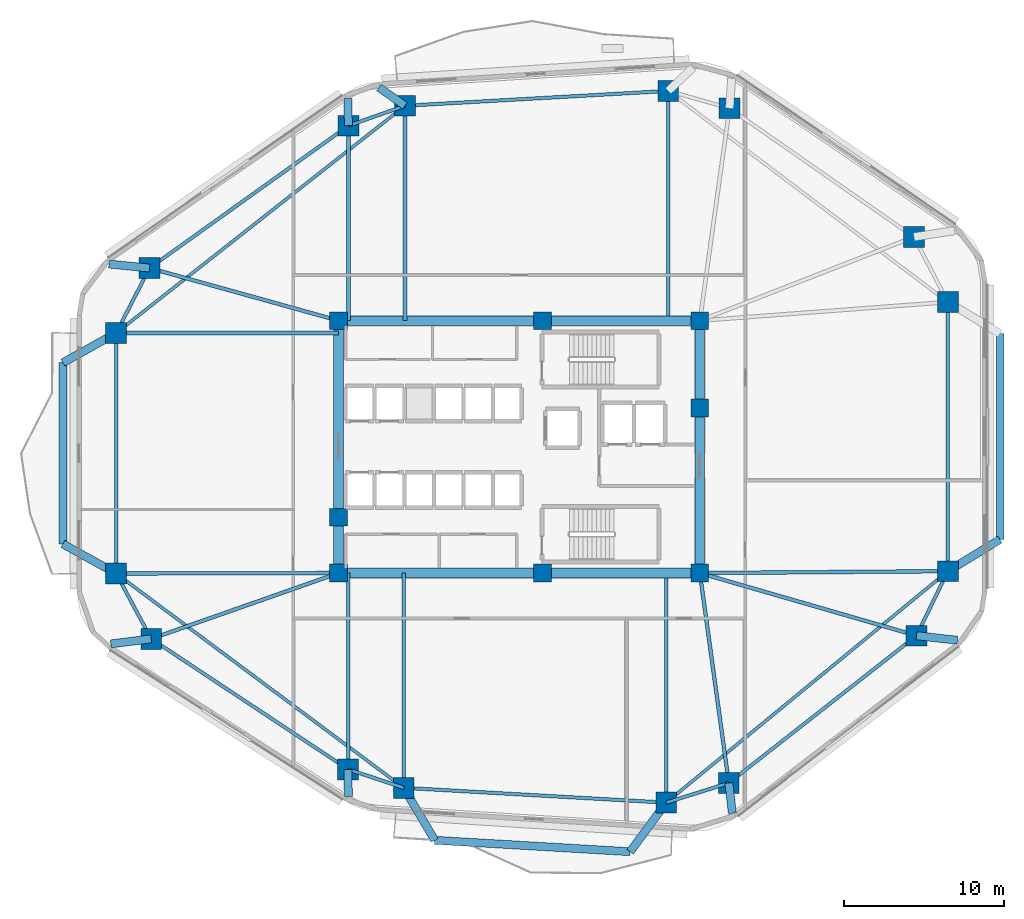
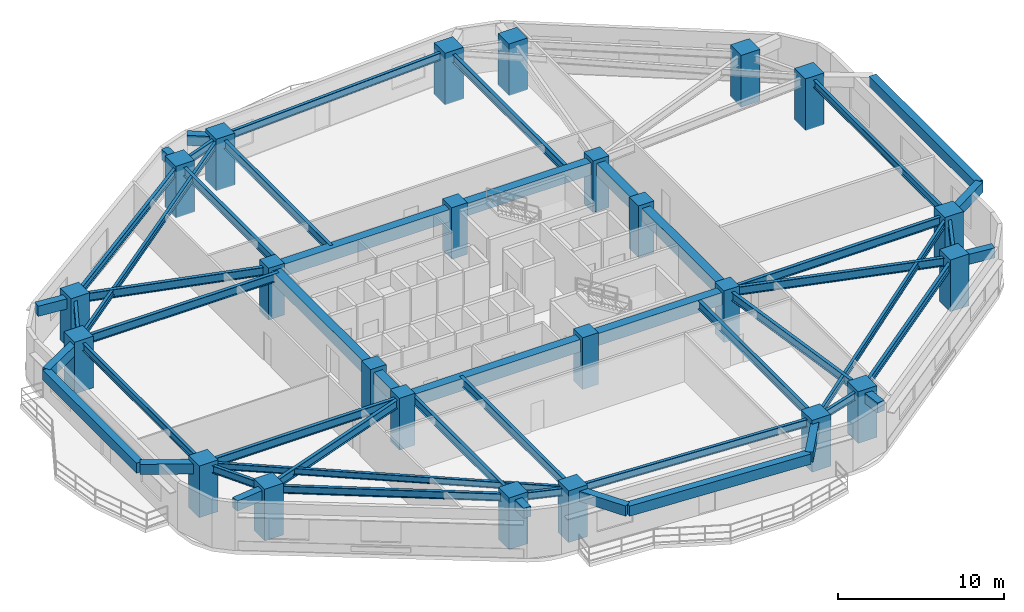
# One storey, part 1 of 11: 52 beams, 24 columns.
"""IFC4 building model written with IfcOpenShell, lengths in metres."""

from ifc_helpers import new_model, si_unit, direction, frame, origin, origin_2d, place, context, subcontext, project, spatial, rectangle, i_section, extrude, material, material_profile, profile_set, type_object, element, save


model = new_model("IFC4")

# Units and contexts
model_context = context("Model", 3, precision=1e-05, world=origin(), true_north=direction((0.0, 1.0)))
body_context = subcontext(model_context, "Body", "Model", "MODEL_VIEW")
ifc_project = project(units=[si_unit("LENGTHUNIT", "METRE"), si_unit("AREAUNIT", "SQUARE_METRE"), si_unit("VOLUMEUNIT", "CUBIC_METRE"), si_unit("PLANEANGLEUNIT", "RADIAN"), si_unit("MASSUNIT", "GRAM", prefix="KILO")], contexts=[model_context])

# Site, building, storey
site_placement = place(None, origin())
site = spatial("IfcSite", under=ifc_project, at=site_placement, CompositionType="ELEMENT")
building_placement = place(site_placement, origin())
building = spatial("IfcBuilding", under=site, at=building_placement, Name="Zulverin Broadcast Headquarters", CompositionType="ELEMENT")
storey_placement = place(building_placement, frame((0.0, 0.0, 28.800048828125)))
storey = spatial("IfcBuildingStorey", under=building, at=storey_placement, Name="L06", CompositionType="ELEMENT", Elevation=28.800048828125)

# Columns
ifc_material_1 = material(Name="Concrete C60/75", Category="concrete")
ifc_material_profile_1 = material_profile(ifc_material_1, rectangle(XDim=1.300048828125, YDim=1.300048828125, at=origin_2d()), Name="Concrete C60/75", Category="concrete")
ifc_profile_set_1 = profile_set([ifc_material_profile_1], Name="Concrete C60/75")
column_type_1 = type_object("IfcColumnType", Name="COL-RC-1300", PredefinedType="COLUMN", material=ifc_profile_set_1)
for number, where, z_axis, x_axis, name in (
    (1, (29.79638671875, 3.922119140625, 0.0), (0.0, 0.0, 1.0), (1.0, 0.0, 0.0), "L06 Perimeter Column T01"),
    (2, (46.175048828125, 2.997802734375, 0.0), (0.0, 0.0, 1.0), (1.0, 0.0, 0.0), "L06 Perimeter Column T02"),
    (3, (50.08056640625, 4.22509765625, 0.0), (0.0, 0.0, 1.0), (1.0, 0.0, 0.0), "L06 Perimeter Column T03"),
    (4, (61.79296875, 13.416259765625, 0.0), (0.0, 0.0, 1.0), (1.0, 0.0, 0.0), "L06 Perimeter Column T04"),
    (5, (63.75, 17.439697265625, 0.0), (0.0, 0.0, 1.0), (1.0, 0.0, 0.0), "L06 Perimeter Column T05"),
    (6, (63.75, 34.235107421875, 0.0), (0.0, 0.0, 1.0), (1.0, 0.0, 0.0), "L06 Perimeter Column T06"),
    (7, (61.630126953125, 38.298583984375, 0.0), (0.0, 0.0, 1.0), (1.0, 0.0, 0.0), "L06 Perimeter Column T07"),
    (8, (50.121826171875, 46.325927734375, 0.0), (0.0, 0.0, 1.0), (1.0, 0.0, 0.0), "L06 Perimeter Column T08"),
    (9, (46.30224609375, 47.4091796875, 0.0), (0.0, 0.0, 1.0), (1.0, 0.0, 0.0), "L06 Perimeter Column T09"),
    (10, (29.873779296875, 46.482177734375, 0.0), (0.0, 0.0, 1.0), (1.0, 0.0, 0.0), "L06 Perimeter Column T10"),
    (11, (26.344482421875, 45.23828125, 0.0), (0.0, 0.0, 1.0), (1.0, 0.0, 0.0), "L06 Perimeter Column T11"),
    (12, (13.934326171875, 36.353759765625, 0.0), (0.0, 0.0, 1.0), (1.0, 0.0, 0.0), "L06 Perimeter Column T12"),
    (13, (11.85009765625, 32.298095703125, 0.0), (0.0, 0.0, 1.0), (1.0, 0.0, 0.0), "L06 Perimeter Column T13"),
    (14, (11.85009765625, 17.297607421875, 0.0), (0.0, 0.0, 1.0), (1.0, 0.0, 0.0), "L06 Perimeter Column T14"),
    (15, (14.0390625, 13.219970703125, 0.0), (0.0, 0.0, 1.0), (1.0, 0.0, 0.0), "L06 Perimeter Column T15"),
    (16, (26.3251953125, 5.075927734375, 0.0), (0.0, 0.0, 1.0), (1.0, 0.0, 0.0), "L06 Perimeter Column T16"),
):
    element("IfcColumn", number, at=place(storey_placement, frame(where, z_axis=z_axis, x_axis=x_axis)), inside=storey, type_object=column_type_1, Name=name, PredefinedType="COLUMN", context=body_context, shape_type="SweptSolid", body=[
        extrude(rectangle(XDim=1.300048828125, YDim=1.300048828125, at=origin_2d()), origin(), (0.0, 0.0, 1.0), 3.800048828125),
    ])
ifc_material_profile_2 = material_profile(ifc_material_1, rectangle(XDim=1.10009765625, YDim=1.10009765625, at=origin_2d()), Name="Concrete C60/75", Category="concrete")
ifc_profile_set_2 = profile_set([ifc_material_profile_2], Name="Concrete C60/75")
column_type_2 = type_object("IfcColumnType", Name="PIL-RC-1100", PredefinedType="PILASTER", material=ifc_profile_set_2)
for number, where, z_axis, x_axis, name in (
    (17, (25.72509765625, 17.324951171875, 0.0), (0.0, 0.0, 1.0), (1.0, 0.0, 0.0), "L06 Core Pilaster K01"),
    (18, (38.449951171875, 17.324951171875, 0.0), (0.0, 0.0, 1.0), (1.0, 0.0, 0.0), "L06 Core Pilaster K02"),
    (19, (48.27490234375, 17.324951171875, 0.0), (0.0, 0.0, 1.0), (1.0, 0.0, 0.0), "L06 Core Pilaster K03"),
    (20, (48.27490234375, 27.6201171875, 0.0), (0.0, 0.0, 1.0), (1.0, 0.0, 0.0), "L06 Core Pilaster K04"),
    (21, (48.27490234375, 33.074951171875, 0.0), (0.0, 0.0, 1.0), (1.0, 0.0, 0.0), "L06 Core Pilaster K05"),
    (22, (38.449951171875, 33.074951171875, 0.0), (0.0, 0.0, 1.0), (1.0, 0.0, 0.0), "L06 Core Pilaster K06"),
    (23, (25.72509765625, 33.074951171875, 0.0), (0.0, 0.0, 1.0), (1.0, 0.0, 0.0), "L06 Core Pilaster K07"),
    (24, (25.72509765625, 20.800048828125, 0.0), (0.0, 0.0, 1.0), (1.0, 0.0, 0.0), "L06 Core Pilaster K08"),
):
    element("IfcColumn", number, at=place(storey_placement, frame(where, z_axis=z_axis, x_axis=x_axis)), inside=storey, type_object=column_type_2, Name=name, PredefinedType="PILASTER", context=body_context, shape_type="SweptSolid", body=[
        extrude(rectangle(XDim=1.10009765625, YDim=1.10009765625, at=origin_2d()), origin(), (0.0, 0.0, 1.0), 3.800048828125),
    ])

# Beams
ifc_material_profile_3 = material_profile(ifc_material_1, rectangle(XDim=0.60009765625, YDim=0.89990234375, at=origin_2d()), Name="Concrete C60/75", Category="concrete")
ifc_profile_set_3 = profile_set([ifc_material_profile_3], Name="Concrete C60/75")
beam_type_1 = type_object("IfcBeamType", Name="BM-CB-600x900", PredefinedType="LINTEL", material=ifc_profile_set_3)
beam_1_placement = place(storey_placement, frame((25.72509765625, 17.324951171875, 3.074951171875), z_axis=(1.0, 0.0, 0.0), x_axis=(0.0, 1.0, 0.0)))
element("IfcBeam", 25, at=beam_1_placement, inside=storey, type_object=beam_type_1, Name="L06 Core Coupling Girder K01-K02", PredefinedType="LINTEL", context=body_context, shape_type="SweptSolid", body=[
    extrude(rectangle(XDim=0.60009765625, YDim=0.89990234375, at=origin_2d()), origin(), (0.0, 0.0, 1.0), 12.724853515625),
])
beam_2_placement = place(storey_placement, frame((38.449951171875, 17.324951171875, 3.074951171875), z_axis=(1.0, 0.0, 0.0), x_axis=(0.0, 1.0, 0.0)))
element("IfcBeam", 26, at=beam_2_placement, inside=storey, type_object=beam_type_1, Name="L06 Core Coupling Girder K02-K03", PredefinedType="LINTEL", context=body_context, shape_type="SweptSolid", body=[
    extrude(rectangle(XDim=0.60009765625, YDim=0.89990234375, at=origin_2d()), origin(), (0.0, 0.0, 1.0), 9.824951171875),
])
beam_3_placement = place(storey_placement, frame((48.27490234375, 17.324951171875, 3.074951171875), z_axis=(0.0, 1.0, 0.0), x_axis=(-1.0, 0.0, 0.0)))
element("IfcBeam", 27, at=beam_3_placement, inside=storey, type_object=beam_type_1, Name="L06 Core Coupling Girder K03-K04", PredefinedType="LINTEL", context=body_context, shape_type="SweptSolid", body=[
    extrude(rectangle(XDim=0.60009765625, YDim=0.89990234375, at=origin_2d()), origin(), (0.0, 0.0, 1.0), 10.295166015625),
])
beam_4_placement = place(storey_placement, frame((48.27490234375, 27.6201171875, 3.074951171875), z_axis=(0.0, 1.0, 0.0), x_axis=(-1.0, 0.0, 0.0)))
element("IfcBeam", 28, at=beam_4_placement, inside=storey, type_object=beam_type_1, Name="L06 Core Coupling Girder K04-K05", PredefinedType="LINTEL", context=body_context, shape_type="SweptSolid", body=[
    extrude(rectangle(XDim=0.60009765625, YDim=0.89990234375, at=origin_2d()), origin(), (0.0, 0.0, 1.0), 5.454833984375),
])
beam_5_placement = place(storey_placement, frame((48.27490234375, 33.074951171875, 3.074951171875), z_axis=(-1.0, 0.0, 0.0), x_axis=(0.0, -1.0, 0.0)))
element("IfcBeam", 29, at=beam_5_placement, inside=storey, type_object=beam_type_1, Name="L06 Core Coupling Girder K05-K06", PredefinedType="LINTEL", context=body_context, shape_type="SweptSolid", body=[
    extrude(rectangle(XDim=0.60009765625, YDim=0.89990234375, at=origin_2d()), origin(), (0.0, 0.0, 1.0), 9.824951171875),
])
beam_6_placement = place(storey_placement, frame((38.449951171875, 33.074951171875, 3.074951171875), z_axis=(-1.0, 0.0, 0.0), x_axis=(0.0, -1.0, 0.0)))
element("IfcBeam", 30, at=beam_6_placement, inside=storey, type_object=beam_type_1, Name="L06 Core Coupling Girder K06-K07", PredefinedType="LINTEL", context=body_context, shape_type="SweptSolid", body=[
    extrude(rectangle(XDim=0.60009765625, YDim=0.89990234375, at=origin_2d()), origin(), (0.0, 0.0, 1.0), 12.724853515625),
])
beam_7_placement = place(storey_placement, frame((25.72509765625, 33.074951171875, 3.074951171875), z_axis=(0.0, -1.0, 0.0), x_axis=(1.0, 0.0, 0.0)))
element("IfcBeam", 31, at=beam_7_placement, inside=storey, type_object=beam_type_1, Name="L06 Core Coupling Girder K07-K08", PredefinedType="LINTEL", context=body_context, shape_type="SweptSolid", body=[
    extrude(rectangle(XDim=0.60009765625, YDim=0.89990234375, at=origin_2d()), origin(), (0.0, 0.0, 1.0), 12.27490234375),
])
beam_8_placement = place(storey_placement, frame((25.72509765625, 20.800048828125, 3.074951171875), z_axis=(0.0, -1.0, 0.0), x_axis=(1.0, 0.0, 0.0)))
element("IfcBeam", 32, at=beam_8_placement, inside=storey, type_object=beam_type_1, Name="L06 Core Coupling Girder K08-K01", PredefinedType="LINTEL", context=body_context, shape_type="SweptSolid", body=[
    extrude(rectangle(XDim=0.60009765625, YDim=0.89990234375, at=origin_2d()), origin(), (0.0, 0.0, 1.0), 3.47509765625),
])
ifc_material_2 = material(Name="Concrete C40/50", Category="concrete")
ifc_material_profile_4 = material_profile(ifc_material_2, rectangle(XDim=0.5, YDim=0.75, at=origin_2d()), Name="Concrete C40/50", Category="concrete")
ifc_profile_set_4 = profile_set([ifc_material_profile_4], Name="Concrete C40/50")
beam_type_2 = type_object("IfcBeamType", Name="BM-RC-500x750", PredefinedType="BEAM", material=ifc_profile_set_4)
beam_9_placement = place(storey_placement, frame((50.08056640625, 4.22509765625, 3.14990234375), z_axis=(0.115916621896, -0.99325894749, 0.0), x_axis=(0.99325894749, 0.115916621896, 0.0)))
element("IfcBeam", 33, at=beam_9_placement, inside=storey, type_object=beam_type_2, Name="L07 Plate Overhang Back-Spanned Beam OVR-03", PredefinedType="BEAM", context=body_context, shape_type="SweptSolid", body=[
    extrude(rectangle(XDim=0.5, YDim=0.75, at=origin_2d()), origin(), (0.0, 0.0, 1.0), 1.899658203125),
])
beam_10_placement = place(storey_placement, frame((61.79296875, 13.416259765625, 3.14990234375), z_axis=(0.993797661948, -0.111203449166, 0.0), x_axis=(0.111203449166, 0.993797661948, 0.0)))
element("IfcBeam", 34, at=beam_10_placement, inside=storey, type_object=beam_type_2, Name="L07 Plate Overhang Back-Spanned Beam OVR-04", PredefinedType="BEAM", context=body_context, shape_type="SweptSolid", body=[
    extrude(rectangle(XDim=0.5, YDim=0.75, at=origin_2d()), origin(), (0.0, 0.0, 1.0), 2.568603515625),
])
beam_11_placement = place(storey_placement, frame((29.873779296875, 46.482177734375, 3.14990234375), z_axis=(-0.817148773783, 0.576426822333, 0.0), x_axis=(-0.576426822333, -0.817148773783, 0.0)))
element("IfcBeam", 35, at=beam_11_placement, inside=storey, type_object=beam_type_2, Name="L07 Plate Overhang Back-Spanned Beam OVR-10", PredefinedType="BEAM", context=body_context, shape_type="SweptSolid", body=[
    extrude(rectangle(XDim=0.5, YDim=0.75, at=origin_2d()), origin(), (0.0, 0.0, 1.0), 1.981689453125),
])
beam_12_placement = place(storey_placement, frame((26.344482421875, 45.23828125, 3.14990234375), z_axis=(-0.025024345209, 0.999686842039, 0.0), x_axis=(-0.999686842039, -0.025024345209, 0.0)))
element("IfcBeam", 36, at=beam_12_placement, inside=storey, type_object=beam_type_2, Name="L07 Plate Overhang Back-Spanned Beam OVR-11", PredefinedType="BEAM", context=body_context, shape_type="SweptSolid", body=[
    extrude(rectangle(XDim=0.5, YDim=0.75, at=origin_2d()), origin(), (0.0, 0.0, 1.0), 1.707275390625),
])
beam_13_placement = place(storey_placement, frame((13.934326171875, 36.353759765625, 3.14990234375), z_axis=(-0.995008621602, 0.09978899207, 0.0), x_axis=(-0.09978899207, -0.995008621602, 0.0)))
element("IfcBeam", 37, at=beam_13_placement, inside=storey, type_object=beam_type_2, Name="L07 Plate Overhang Back-Spanned Beam OVR-12", PredefinedType="BEAM", context=body_context, shape_type="SweptSolid", body=[
    extrude(rectangle(XDim=0.5, YDim=0.75, at=origin_2d()), origin(), (0.0, 0.0, 1.0), 2.5419921875),
])
beam_14_placement = place(storey_placement, frame((14.0390625, 13.219970703125, 3.14990234375), z_axis=(-0.992258640565, -0.124188526941, 0.0), x_axis=(0.124188526941, -0.992258640565, 0.0)))
element("IfcBeam", 38, at=beam_14_placement, inside=storey, type_object=beam_type_2, Name="L07 Plate Overhang Back-Spanned Beam OVR-15", PredefinedType="BEAM", context=body_context, shape_type="SweptSolid", body=[
    extrude(rectangle(XDim=0.5, YDim=0.75, at=origin_2d()), origin(), (0.0, 0.0, 1.0), 2.5400390625),
])
beam_15_placement = place(storey_placement, frame((26.3251953125, 5.075927734375, 3.14990234375), z_axis=(0.006204786761, -0.999980750125, 0.0), x_axis=(0.999980750125, 0.006204786761, 0.0)))
element("IfcBeam", 39, at=beam_15_placement, inside=storey, type_object=beam_type_2, Name="L07 Plate Overhang Back-Spanned Beam OVR-16", PredefinedType="BEAM", context=body_context, shape_type="SweptSolid", body=[
    extrude(rectangle(XDim=0.5, YDim=0.75, at=origin_2d()), origin(), (0.0, 0.0, 1.0), 1.69189453125),
])
beam_16_placement = place(storey_placement, frame((63.75, 17.439697265625, 3.14990234375), z_axis=(0.853769010652, 0.520651972483, 0.0), x_axis=(-0.520651972483, 0.853769010652, 0.0)))
element("IfcBeam", 40, at=beam_16_placement, inside=storey, type_object=beam_type_2, Name="L07 Balcony Column-Framed Cantilever BAL_E-1", PredefinedType="BEAM", context=body_context, shape_type="SweptSolid", body=[
    extrude(rectangle(XDim=0.5, YDim=0.75, at=origin_2d()), origin(), (0.0, 0.0, 1.0), 3.800048828125),
])
beam_17_placement = place(storey_placement, frame((66.994384765625, 19.418212890625, 3.14990234375), z_axis=(0.000531985561, 0.999999858496, 0.0), x_axis=(-0.999999858496, 0.000531985561, 0.0)))
element("IfcBeam", 41, at=beam_17_placement, inside=storey, type_object=beam_type_2, Name="L07 Balcony Outer Edge Trimmer Beam BAL_E", PredefinedType="BEAM", context=body_context, shape_type="SweptSolid", body=[
    extrude(rectangle(XDim=0.5, YDim=0.75, at=origin_2d()), origin(), (0.0, 0.0, 1.0), 12.849853515625),
])
beam_18_placement = place(storey_placement, frame((29.79638671875, 3.922119140625, 3.14990234375), z_axis=(0.509317980618, -0.860578407014, 0.0), x_axis=(0.860578407014, 0.509317980618, 0.0)))
element("IfcBeam", 42, at=beam_18_placement, inside=storey, type_object=beam_type_2, Name="L07 Balcony Column-Framed Cantilever BAL_S-1", PredefinedType="BEAM", context=body_context, shape_type="SweptSolid", body=[
    extrude(rectangle(XDim=0.5, YDim=0.75, at=origin_2d()), origin(), (0.0, 0.0, 1.0), 3.7998046875),
])
beam_19_placement = place(storey_placement, frame((46.175048828125, 2.997802734375, 3.14990234375), z_axis=(-0.592479980496, -0.805585174088, 0.0), x_axis=(0.805585174088, -0.592479980496, 0.0)))
element("IfcBeam", 43, at=beam_19_placement, inside=storey, type_object=beam_type_2, Name="L07 Balcony Column-Framed Cantilever BAL_S-2", PredefinedType="BEAM", context=body_context, shape_type="SweptSolid", body=[
    extrude(rectangle(XDim=0.5, YDim=0.75, at=origin_2d()), origin(), (0.0, 0.0, 1.0), 3.800048828125),
])
beam_20_placement = place(storey_placement, frame((31.731689453125, 0.652099609375, 3.14990234375), z_axis=(0.998282016209, -0.058591945803, 0.0), x_axis=(0.058591945803, 0.998282016209, 0.0)))
element("IfcBeam", 44, at=beam_20_placement, inside=storey, type_object=beam_type_2, Name="L07 Balcony Outer Edge Trimmer Beam BAL_S", PredefinedType="BEAM", context=body_context, shape_type="SweptSolid", body=[
    extrude(rectangle(XDim=0.5, YDim=0.75, at=origin_2d()), origin(), (0.0, 0.0, 1.0), 12.212890625),
])
beam_21_placement = place(storey_placement, frame((11.85009765625, 32.298095703125, 3.14990234375), z_axis=(-0.873763019306, -0.486351915893, 0.0), x_axis=(0.486351915893, -0.873763019306, 0.0)))
element("IfcBeam", 45, at=beam_21_placement, inside=storey, type_object=beam_type_2, Name="L07 Balcony Column-Framed Cantilever BAL_W-1", PredefinedType="BEAM", context=body_context, shape_type="SweptSolid", body=[
    extrude(rectangle(XDim=0.5, YDim=0.75, at=origin_2d()), origin(), (0.0, 0.0, 1.0), 3.800048828125),
])
beam_22_placement = place(storey_placement, frame((11.85009765625, 17.297607421875, 3.14990234375), z_axis=(-0.874363278793, 0.485271940975, 0.0), x_axis=(-0.485271940975, -0.874363278793, 0.0)))
element("IfcBeam", 46, at=beam_22_placement, inside=storey, type_object=beam_type_2, Name="L07 Balcony Column-Framed Cantilever BAL_W-2", PredefinedType="BEAM", context=body_context, shape_type="SweptSolid", body=[
    extrude(rectangle(XDim=0.5, YDim=0.75, at=origin_2d()), origin(), (0.0, 0.0, 1.0), 3.7998046875),
])
beam_23_placement = place(storey_placement, frame((8.52978515625, 30.449951171875, 3.14990234375), z_axis=(-0.000194304709, -0.999999981123, 0.0), x_axis=(0.999999981123, -0.000194304709, 0.0)))
element("IfcBeam", 47, at=beam_23_placement, inside=storey, type_object=beam_type_2, Name="L07 Balcony Outer Edge Trimmer Beam BAL_W", PredefinedType="BEAM", context=body_context, shape_type="SweptSolid", body=[
    extrude(rectangle(XDim=0.5, YDim=0.75, at=origin_2d()), origin(), (0.0, 0.0, 1.0), 11.308349609375),
])
ifc_material_3 = material(Name="Structural steel S355JR", Category="steel")
ifc_material_profile_5 = material_profile(ifc_material_3, i_section(OverallWidth=0.19287109375, OverallDepth=0.46728515625, WebThickness=0.011474609375, FlangeThickness=0.01953125, at=origin_2d()), Name="Structural steel S355JR", Category="steel")
ifc_profile_set_5 = profile_set([ifc_material_profile_5], Name="Structural steel S355JR")
beam_type_3 = type_object("IfcBeamType", Name="BM-UB-457", PredefinedType="JOIST", material=ifc_profile_set_5)
beam_24_placement = place(storey_placement, frame((46.175048828125, 2.997802734375, 3.291259765625), z_axis=(0.772611370623, 0.634879256224, 0.0), x_axis=(-0.634879256224, 0.772611370623, 0.0)))
element("IfcBeam", 48, at=beam_24_placement, inside=storey, type_object=beam_type_3, Name="L06 Chordal Floor Joist J-01", PredefinedType="JOIST", context=body_context, shape_type="SweptSolid", body=[
    extrude(i_section(OverallWidth=0.19287109375, OverallDepth=0.46728515625, WebThickness=0.011474609375, FlangeThickness=0.01953125, at=origin_2d()), origin(), (0.0, 0.0, 1.0), 22.74755859375),
])
beam_25_placement = place(storey_placement, frame((29.873779296875, 46.482177734375, 3.291259765625), z_axis=(-0.78583902739, -0.618431098047, 0.0), x_axis=(0.618431098047, -0.78583902739, 0.0)))
element("IfcBeam", 49, at=beam_25_placement, inside=storey, type_object=beam_type_3, Name="L06 Chordal Floor Joist J-03", PredefinedType="JOIST", context=body_context, shape_type="SweptSolid", body=[
    extrude(i_section(OverallWidth=0.19287109375, OverallDepth=0.46728515625, WebThickness=0.011474609375, FlangeThickness=0.01953125, at=origin_2d()), origin(), (0.0, 0.0, 1.0), 22.935546875),
])
beam_26_placement = place(storey_placement, frame((11.85009765625, 17.297607421875, 3.291259765625), z_axis=(0.801802688634, -0.59758886243, 0.0), x_axis=(0.59758886243, 0.801802688634, 0.0)))
element("IfcBeam", 50, at=beam_26_placement, inside=storey, type_object=beam_type_3, Name="L06 Chordal Floor Joist J-04", PredefinedType="JOIST", context=body_context, shape_type="SweptSolid", body=[
    extrude(i_section(OverallWidth=0.19287109375, OverallDepth=0.46728515625, WebThickness=0.011474609375, FlangeThickness=0.01953125, at=origin_2d()), origin(), (0.0, 0.0, 1.0), 22.38232421875),
])
ifc_material_profile_6 = material_profile(ifc_material_3, i_section(OverallWidth=0.2119140625, OverallDepth=0.54443359375, WebThickness=0.0126953125, FlangeThickness=0.021240234375, at=origin_2d()), Name="Structural steel S355JR", Category="steel")
ifc_profile_set_6 = profile_set([ifc_material_profile_6], Name="Structural steel S355JR")
beam_type_4 = type_object("IfcBeamType", Name="BM-UB-533", PredefinedType="SPANDREL", material=ifc_profile_set_6)
beam_27_placement = place(storey_placement, frame((29.79638671875, 3.922119140625, 3.252685546875), z_axis=(0.998411385104, -0.056344530297, 0.0), x_axis=(0.056344530297, 0.998411385104, 0.0)))
element("IfcBeam", 51, at=beam_27_placement, inside=storey, type_object=beam_type_4, Name="L06 Perimeter Spandrel Beam SP-01", PredefinedType="SPANDREL", context=body_context, shape_type="SweptSolid", body=[
    extrude(i_section(OverallWidth=0.2119140625, OverallDepth=0.54443359375, WebThickness=0.0126953125, FlangeThickness=0.021240234375, at=origin_2d()), origin(), (0.0, 0.0, 1.0), 16.40478515625),
])
beam_28_placement = place(storey_placement, frame((46.175048828125, 2.997802734375, 3.252685546875), z_axis=(0.954004438448, 0.299792480595, 0.0), x_axis=(-0.299792480595, 0.954004438448, 0.0)))
element("IfcBeam", 52, at=beam_28_placement, inside=storey, type_object=beam_type_4, Name="L06 Perimeter Spandrel Beam SP-02", PredefinedType="SPANDREL", context=body_context, shape_type="SweptSolid", body=[
    extrude(i_section(OverallWidth=0.2119140625, OverallDepth=0.54443359375, WebThickness=0.0126953125, FlangeThickness=0.021240234375, at=origin_2d()), origin(), (0.0, 0.0, 1.0), 4.09375),
])
beam_29_placement = place(storey_placement, frame((50.08056640625, 4.22509765625, 3.252685546875), z_axis=(0.786691476208, 0.617346354376, 0.0), x_axis=(-0.617346354376, 0.786691476208, 0.0)))
element("IfcBeam", 53, at=beam_29_placement, inside=storey, type_object=beam_type_4, Name="L06 Perimeter Spandrel Beam SP-03", PredefinedType="SPANDREL", context=body_context, shape_type="SweptSolid", body=[
    extrude(i_section(OverallWidth=0.2119140625, OverallDepth=0.54443359375, WebThickness=0.0126953125, FlangeThickness=0.021240234375, at=origin_2d()), origin(), (0.0, 0.0, 1.0), 14.88818359375),
])
beam_30_placement = place(storey_placement, frame((61.79296875, 13.416259765625, 3.252685546875), z_axis=(0.437408475872, 0.899262934428, 0.0), x_axis=(-0.899262934428, 0.437408475872, 0.0)))
element("IfcBeam", 54, at=beam_30_placement, inside=storey, type_object=beam_type_4, Name="L06 Perimeter Spandrel Beam SP-04", PredefinedType="SPANDREL", context=body_context, shape_type="SweptSolid", body=[
    extrude(i_section(OverallWidth=0.2119140625, OverallDepth=0.54443359375, WebThickness=0.0126953125, FlangeThickness=0.021240234375, at=origin_2d()), origin(), (0.0, 0.0, 1.0), 4.47412109375),
])
beam_31_placement = place(storey_placement, frame((63.75, 17.439697265625, 3.252685546875), z_axis=(0.0, 1.0, 0.0), x_axis=(-1.0, 0.0, 0.0)))
element("IfcBeam", 55, at=beam_31_placement, inside=storey, type_object=beam_type_4, Name="L06 Perimeter Spandrel Beam SP-05", PredefinedType="SPANDREL", context=body_context, shape_type="SweptSolid", body=[
    extrude(i_section(OverallWidth=0.2119140625, OverallDepth=0.54443359375, WebThickness=0.0126953125, FlangeThickness=0.021240234375, at=origin_2d()), origin(), (0.0, 0.0, 1.0), 16.79541015625),
])
beam_32_placement = place(storey_placement, frame((46.30224609375, 47.4091796875, 3.252685546875), z_axis=(-0.998411812904, -0.056336949274, 0.0), x_axis=(0.056336949274, -0.998411812904, 0.0)))
element("IfcBeam", 56, at=beam_32_placement, inside=storey, type_object=beam_type_4, Name="L06 Perimeter Spandrel Beam SP-09", PredefinedType="SPANDREL", context=body_context, shape_type="SweptSolid", body=[
    extrude(i_section(OverallWidth=0.2119140625, OverallDepth=0.54443359375, WebThickness=0.0126953125, FlangeThickness=0.021240234375, at=origin_2d()), origin(), (0.0, 0.0, 1.0), 16.45458984375),
])
beam_33_placement = place(storey_placement, frame((29.873779296875, 46.482177734375, 3.252685546875), z_axis=(-0.943135983398, -0.332407155189, 0.0), x_axis=(0.332407155189, -0.943135983398, 0.0)))
element("IfcBeam", 57, at=beam_33_placement, inside=storey, type_object=beam_type_4, Name="L06 Perimeter Spandrel Beam SP-10", PredefinedType="SPANDREL", context=body_context, shape_type="SweptSolid", body=[
    extrude(i_section(OverallWidth=0.2119140625, OverallDepth=0.54443359375, WebThickness=0.0126953125, FlangeThickness=0.021240234375, at=origin_2d()), origin(), (0.0, 0.0, 1.0), 3.7421875),
])
beam_34_placement = place(storey_placement, frame((26.344482421875, 45.23828125, 3.252685546875), z_axis=(-0.813109374453, -0.582110938891, 0.0), x_axis=(0.582110938891, -0.813109374453, 0.0)))
element("IfcBeam", 58, at=beam_34_placement, inside=storey, type_object=beam_type_4, Name="L06 Perimeter Spandrel Beam SP-11", PredefinedType="SPANDREL", context=body_context, shape_type="SweptSolid", body=[
    extrude(i_section(OverallWidth=0.2119140625, OverallDepth=0.54443359375, WebThickness=0.0126953125, FlangeThickness=0.021240234375, at=origin_2d()), origin(), (0.0, 0.0, 1.0), 15.2626953125),
])
beam_35_placement = place(storey_placement, frame((13.934326171875, 36.353759765625, 3.252685546875), z_axis=(-0.457080631948, -0.889425261558, 0.0), x_axis=(0.889425261558, -0.457080631948, 0.0)))
element("IfcBeam", 59, at=beam_35_placement, inside=storey, type_object=beam_type_4, Name="L06 Perimeter Spandrel Beam SP-12", PredefinedType="SPANDREL", context=body_context, shape_type="SweptSolid", body=[
    extrude(i_section(OverallWidth=0.2119140625, OverallDepth=0.54443359375, WebThickness=0.0126953125, FlangeThickness=0.021240234375, at=origin_2d()), origin(), (0.0, 0.0, 1.0), 4.559814453125),
])
beam_36_placement = place(storey_placement, frame((11.85009765625, 32.298095703125, 3.252685546875), z_axis=(0.0, -1.0, 0.0), x_axis=(1.0, 0.0, 0.0)))
element("IfcBeam", 60, at=beam_36_placement, inside=storey, type_object=beam_type_4, Name="L06 Perimeter Spandrel Beam SP-13", PredefinedType="SPANDREL", context=body_context, shape_type="SweptSolid", body=[
    extrude(i_section(OverallWidth=0.2119140625, OverallDepth=0.54443359375, WebThickness=0.0126953125, FlangeThickness=0.021240234375, at=origin_2d()), origin(), (0.0, 0.0, 1.0), 15.00048828125),
])
beam_37_placement = place(storey_placement, frame((11.85009765625, 17.297607421875, 3.252685546875), z_axis=(0.472979536362, -0.881073412482, 0.0), x_axis=(0.881073412482, 0.472979536362, 0.0)))
element("IfcBeam", 61, at=beam_37_placement, inside=storey, type_object=beam_type_4, Name="L06 Perimeter Spandrel Beam SP-14", PredefinedType="SPANDREL", context=body_context, shape_type="SweptSolid", body=[
    extrude(i_section(OverallWidth=0.2119140625, OverallDepth=0.54443359375, WebThickness=0.0126953125, FlangeThickness=0.021240234375, at=origin_2d()), origin(), (0.0, 0.0, 1.0), 4.6279296875),
])
beam_38_placement = place(storey_placement, frame((14.0390625, 13.219970703125, 3.252685546875), z_axis=(0.833510030956, -0.552504324232, 0.0), x_axis=(0.552504324232, 0.833510030956, 0.0)))
element("IfcBeam", 62, at=beam_38_placement, inside=storey, type_object=beam_type_4, Name="L06 Perimeter Spandrel Beam SP-15", PredefinedType="SPANDREL", context=body_context, shape_type="SweptSolid", body=[
    extrude(i_section(OverallWidth=0.2119140625, OverallDepth=0.54443359375, WebThickness=0.0126953125, FlangeThickness=0.021240234375, at=origin_2d()), origin(), (0.0, 0.0, 1.0), 14.740234375),
])
beam_39_placement = place(storey_placement, frame((26.3251953125, 5.075927734375, 3.252685546875), z_axis=(0.948949931395, -0.315426739047, 0.0), x_axis=(0.315426739047, 0.948949931395, 0.0)))
element("IfcBeam", 63, at=beam_39_placement, inside=storey, type_object=beam_type_4, Name="L06 Perimeter Spandrel Beam SP-16", PredefinedType="SPANDREL", context=body_context, shape_type="SweptSolid", body=[
    extrude(i_section(OverallWidth=0.2119140625, OverallDepth=0.54443359375, WebThickness=0.0126953125, FlangeThickness=0.021240234375, at=origin_2d()), origin(), (0.0, 0.0, 1.0), 3.657958984375),
])
ifc_material_profile_7 = material_profile(ifc_material_3, i_section(OverallWidth=0.230224609375, OverallDepth=0.6171875, WebThickness=0.01318359375, FlangeThickness=0.022216796875, at=origin_2d()), Name="Structural steel S355JR", Category="steel")
ifc_profile_set_7 = profile_set([ifc_material_profile_7], Name="Structural steel S355JR")
beam_type_5 = type_object("IfcBeamType", Name="BM-UB-610", PredefinedType="BEAM", material=ifc_profile_set_7)
beam_40_placement = place(storey_placement, frame((29.79638671875, 17.324951171875, 3.21630859375), z_axis=(0.0, -1.0, 0.0), x_axis=(1.0, 0.0, 0.0)))
element("IfcBeam", 64, at=beam_40_placement, inside=storey, type_object=beam_type_5, Name="L06 Radial Primary Floor Beam RB-01", PredefinedType="BEAM", context=body_context, shape_type="SweptSolid", body=[
    extrude(i_section(OverallWidth=0.230224609375, OverallDepth=0.6171875, WebThickness=0.01318359375, FlangeThickness=0.022216796875, at=origin_2d()), origin(), (0.0, 0.0, 1.0), 13.40283203125),
])
beam_41_placement = place(storey_placement, frame((46.175048828125, 17.324951171875, 3.21630859375), z_axis=(0.0, -1.0, 0.0), x_axis=(1.0, 0.0, 0.0)))
element("IfcBeam", 65, at=beam_41_placement, inside=storey, type_object=beam_type_5, Name="L06 Radial Primary Floor Beam RB-02", PredefinedType="BEAM", context=body_context, shape_type="SweptSolid", body=[
    extrude(i_section(OverallWidth=0.230224609375, OverallDepth=0.6171875, WebThickness=0.01318359375, FlangeThickness=0.022216796875, at=origin_2d()), origin(), (0.0, 0.0, 1.0), 14.3271484375),
])
beam_42_placement = place(storey_placement, frame((48.27490234375, 17.324951171875, 3.21630859375), z_axis=(0.136547433081, -0.990633533916, 0.0), x_axis=(0.990633533916, 0.136547433081, 0.0)))
element("IfcBeam", 66, at=beam_42_placement, inside=storey, type_object=beam_type_5, Name="L06 Radial Primary Floor Beam RB-03", PredefinedType="BEAM", context=body_context, shape_type="SweptSolid", body=[
    extrude(i_section(OverallWidth=0.230224609375, OverallDepth=0.6171875, WebThickness=0.01318359375, FlangeThickness=0.022216796875, at=origin_2d()), origin(), (0.0, 0.0, 1.0), 13.2236328125),
])
beam_43_placement = place(storey_placement, frame((48.27490234375, 17.324951171875, 3.21630859375), z_axis=(0.960648363311, -0.277767388416, 0.0), x_axis=(0.277767388416, 0.960648363311, 0.0)))
element("IfcBeam", 67, at=beam_43_placement, inside=storey, type_object=beam_type_5, Name="L06 Radial Primary Floor Beam RB-04", PredefinedType="BEAM", context=body_context, shape_type="SweptSolid", body=[
    extrude(i_section(OverallWidth=0.230224609375, OverallDepth=0.6171875, WebThickness=0.01318359375, FlangeThickness=0.022216796875, at=origin_2d()), origin(), (0.0, 0.0, 1.0), 14.07177734375),
])
beam_44_placement = place(storey_placement, frame((48.27490234375, 17.324951171875, 3.21630859375), z_axis=(0.999972510862, 0.007414682739, 0.0), x_axis=(-0.007414682739, 0.999972510862, 0.0)))
element("IfcBeam", 68, at=beam_44_placement, inside=storey, type_object=beam_type_5, Name="L06 Radial Primary Floor Beam RB-05", PredefinedType="BEAM", context=body_context, shape_type="SweptSolid", body=[
    extrude(i_section(OverallWidth=0.230224609375, OverallDepth=0.6171875, WebThickness=0.01318359375, FlangeThickness=0.022216796875, at=origin_2d()), origin(), (0.0, 0.0, 1.0), 15.4755859375),
])
beam_45_placement = place(storey_placement, frame((46.30224609375, 33.074951171875, 3.21630859375), z_axis=(0.0, 1.0, 0.0), x_axis=(-1.0, 0.0, 0.0)))
element("IfcBeam", 69, at=beam_45_placement, inside=storey, type_object=beam_type_5, Name="L06 Radial Primary Floor Beam RB-09", PredefinedType="BEAM", context=body_context, shape_type="SweptSolid", body=[
    extrude(i_section(OverallWidth=0.230224609375, OverallDepth=0.6171875, WebThickness=0.01318359375, FlangeThickness=0.022216796875, at=origin_2d()), origin(), (0.0, 0.0, 1.0), 14.334228515625),
])
beam_46_placement = place(storey_placement, frame((29.873779296875, 33.074951171875, 3.21630859375), z_axis=(0.0, 1.0, 0.0), x_axis=(-1.0, 0.0, 0.0)))
element("IfcBeam", 70, at=beam_46_placement, inside=storey, type_object=beam_type_5, Name="L06 Radial Primary Floor Beam RB-10", PredefinedType="BEAM", context=body_context, shape_type="SweptSolid", body=[
    extrude(i_section(OverallWidth=0.230224609375, OverallDepth=0.6171875, WebThickness=0.01318359375, FlangeThickness=0.022216796875, at=origin_2d()), origin(), (0.0, 0.0, 1.0), 13.4072265625),
])
beam_47_placement = place(storey_placement, frame((26.344482421875, 33.074951171875, 3.21630859375), z_axis=(0.0, 1.0, 0.0), x_axis=(-1.0, 0.0, 0.0)))
element("IfcBeam", 71, at=beam_47_placement, inside=storey, type_object=beam_type_5, Name="L06 Radial Primary Floor Beam RB-11", PredefinedType="BEAM", context=body_context, shape_type="SweptSolid", body=[
    extrude(i_section(OverallWidth=0.230224609375, OverallDepth=0.6171875, WebThickness=0.01318359375, FlangeThickness=0.022216796875, at=origin_2d()), origin(), (0.0, 0.0, 1.0), 12.163330078125),
])
beam_48_placement = place(storey_placement, frame((25.72509765625, 33.074951171875, 3.21630859375), z_axis=(-0.963442133037, 0.267916509922, 0.0), x_axis=(-0.267916509922, -0.963442133037, 0.0)))
element("IfcBeam", 72, at=beam_48_placement, inside=storey, type_object=beam_type_5, Name="L06 Radial Primary Floor Beam RB-12", PredefinedType="BEAM", context=body_context, shape_type="SweptSolid", body=[
    extrude(i_section(OverallWidth=0.230224609375, OverallDepth=0.6171875, WebThickness=0.01318359375, FlangeThickness=0.022216796875, at=origin_2d()), origin(), (0.0, 0.0, 1.0), 12.23828125),
])
for number, where, z_axis, x_axis, name in (
    (73, (25.72509765625, 32.298095703125, 3.21630859375), (-1.0, 0.0, 0.0), (0.0, -1.0, 0.0), "L06 Radial Primary Floor Beam RB-13"),
    (74, (25.72509765625, 17.324951171875, 3.21630859375), (-0.999998058136, -0.001970716894, 0.0), (0.001970716894, -0.999998058136, 0.0), "L06 Radial Primary Floor Beam RB-14"),
):
    element("IfcBeam", number, at=place(storey_placement, frame(where, z_axis=z_axis, x_axis=x_axis)), inside=storey, type_object=beam_type_5, Name=name, PredefinedType="BEAM", context=body_context, shape_type="SweptSolid", body=[
        extrude(i_section(OverallWidth=0.230224609375, OverallDepth=0.6171875, WebThickness=0.01318359375, FlangeThickness=0.022216796875, at=origin_2d()), origin(), (0.0, 0.0, 1.0), 13.875),
    ])
beam_49_placement = place(storey_placement, frame((25.72509765625, 17.324951171875, 3.21630859375), z_axis=(-0.943483462345, -0.331419607569, 0.0), x_axis=(0.331419607569, -0.943483462345, 0.0)))
element("IfcBeam", 75, at=beam_49_placement, inside=storey, type_object=beam_type_5, Name="L06 Radial Primary Floor Beam RB-15", PredefinedType="BEAM", context=body_context, shape_type="SweptSolid", body=[
    extrude(i_section(OverallWidth=0.230224609375, OverallDepth=0.6171875, WebThickness=0.01318359375, FlangeThickness=0.022216796875, at=origin_2d()), origin(), (0.0, 0.0, 1.0), 12.385986328125),
])
beam_50_placement = place(storey_placement, frame((26.3251953125, 17.324951171875, 3.21630859375), z_axis=(0.0, -1.0, 0.0), x_axis=(1.0, 0.0, 0.0)))
element("IfcBeam", 76, at=beam_50_placement, inside=storey, type_object=beam_type_5, Name="L06 Radial Primary Floor Beam RB-16", PredefinedType="BEAM", context=body_context, shape_type="SweptSolid", body=[
    extrude(i_section(OverallWidth=0.230224609375, OverallDepth=0.6171875, WebThickness=0.01318359375, FlangeThickness=0.022216796875, at=origin_2d()), origin(), (0.0, 0.0, 1.0), 12.2490234375),
])

save(model, "model.ifc")
